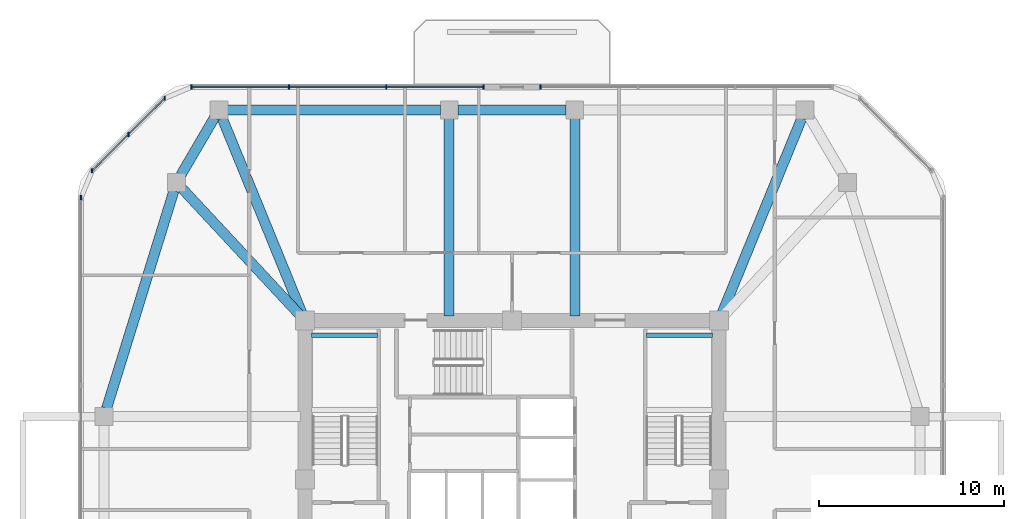
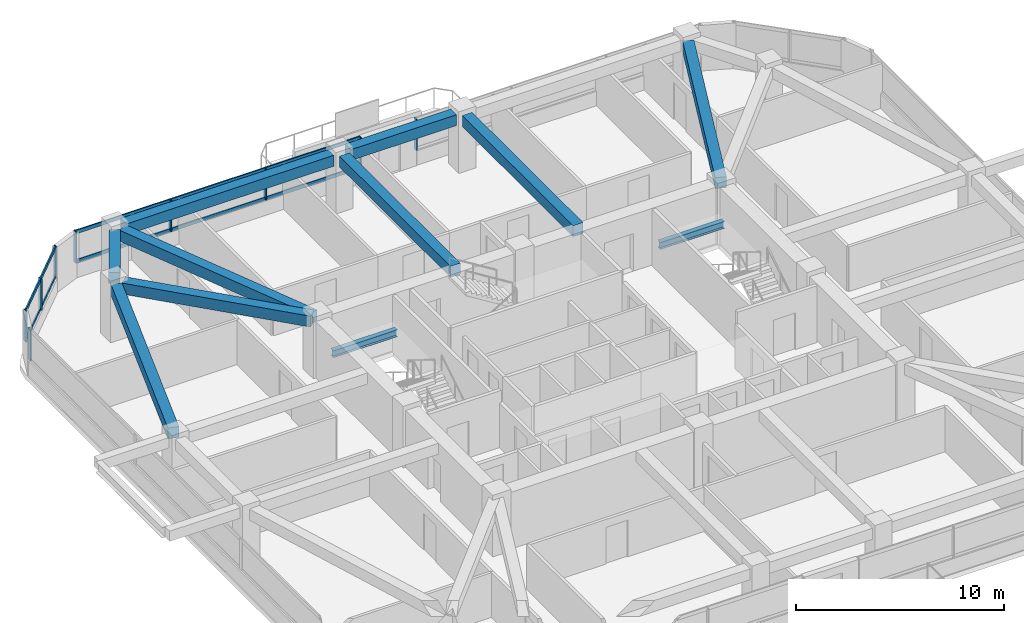
# One storey, part 4 of 11: 13 members, 11 beams, 4 elements without a shape of their own.
"""IFC4 building model written with IfcOpenShell, lengths in metres."""

from ifc_helpers import new_model, si_unit, derived_unit, direction, frame, origin, origin_2d, place, context, subcontext, project, spatial, rectangle, i_section, extrude, material, material_profile, profile_set, type_object, element, aggregate, save


model = new_model("IFC4")

# Units and contexts
model_context = context("Model", 3, precision=1e-05, world=origin(), true_north=direction((0.0, 1.0)))
body_context = subcontext(model_context, "Body", "Model", "MODEL_VIEW")
ifc_project = project(units=[si_unit("LENGTHUNIT", "METRE"), si_unit("AREAUNIT", "SQUARE_METRE"), si_unit("VOLUMEUNIT", "CUBIC_METRE"), si_unit("PLANEANGLEUNIT", "RADIAN"), si_unit("MASSUNIT", "GRAM", prefix="KILO"), derived_unit("THERMALTRANSMITTANCEUNIT", [(si_unit("POWERUNIT", "WATT"), 1), (si_unit("LENGTHUNIT", "METRE"), -2), (si_unit("THERMODYNAMICTEMPERATUREUNIT", "KELVIN"), -1)])], contexts=[model_context])

# Site, building, storey
site_placement = place(None, origin())
site = spatial("IfcSite", under=ifc_project, at=site_placement, CompositionType="ELEMENT")
building_placement = place(site_placement, origin())
building = spatial("IfcBuilding", under=site, at=building_placement, Name="Koralith Skygarden Medical Center", CompositionType="ELEMENT")
storey_placement = place(building_placement, frame((0.0, 0.0, 167.219970703125)))
storey = spatial("IfcBuildingStorey", under=building, at=storey_placement, Name="L43", CompositionType="ELEMENT", Elevation=167.219970703125)

# Curtain wall, member
ifc_material_1 = material(Name="Clear Laminated Glass", Category="glass")
curtain_wall_type = type_object("IfcCurtainWallType", Name="CW-4 Zone 3 Waist High-Wind Curtain Wall", PredefinedType="NOTDEFINED", material=ifc_material_1)
curtain_wall_1_placement = place(storey_placement, origin())
curtain_wall_1 = element("IfcCurtainWall", 1, at=curtain_wall_1_placement, inside=storey, type_object=curtain_wall_type, Name="Curtain Wall CW-L43-N-L", PredefinedType="NOTDEFINED")
ifc_material_2 = material(Name="Aluminium 6063-T6", Category="aluminium")
ifc_material_profile_1 = material_profile(ifc_material_2, rectangle(XDim=0.076904296875, YDim=0.22998046875, at=origin_2d()), Name="MUL77X230")
ifc_profile_set_1 = profile_set([ifc_material_profile_1], Name="Aluminium 6063-T6")
member_type_1 = type_object("IfcMemberType", Name="CW-4 Extruded Mullion 77x230", PredefinedType="MULLION", material=ifc_profile_set_1)
member_1_placement = place(storey_placement, frame((38.541015625, 47.1201171875, 0.85009765625), z_axis=(0.0, 0.0, 1.0), x_axis=(1.0, 0.0, 0.0)))
member_1 = element("IfcMember", 2, at=member_1_placement, type_object=member_type_1, Name="CW-L43-N-L Mullion 4", PredefinedType="MULLION", context=body_context, shape_type="SweptSolid", body=[
    extrude(rectangle(XDim=0.076904296875, YDim=0.22998046875, at=origin_2d()), origin(), (0.0, 0.0, 1.0), 1.81982421875),
])
aggregate(curtain_wall_1, [member_1])

# Curtain wall, members
curtain_wall_2_placement = place(storey_placement, origin())
curtain_wall_2 = element("IfcCurtainWall", 3, at=curtain_wall_2_placement, inside=storey, type_object=curtain_wall_type, Name="Curtain Wall CW-L43-N-R", PredefinedType="NOTDEFINED")
member_2_placement = place(storey_placement, frame((35.4609375, 47.1201171875, 0.85009765625), z_axis=(0.0, 0.0, 1.0), x_axis=(1.0, 0.0, 0.0)))
member_2 = element("IfcMember", 4, at=member_2_placement, type_object=member_type_1, Name="CW-L43-N-R Mullion 1", PredefinedType="MULLION", context=body_context, shape_type="SweptSolid", body=[
    extrude(rectangle(XDim=0.076904296875, YDim=0.22998046875, at=origin_2d()), origin(), (0.0, 0.0, 1.0), 1.81982421875),
])
member_3_placement = place(storey_placement, frame((30.197998046875, 47.1201171875, 0.85009765625), z_axis=(0.0, 0.0, 1.0), x_axis=(1.0, 0.0, 0.0)))
member_3 = element("IfcMember", 5, at=member_3_placement, type_object=member_type_1, Name="CW-L43-N-R Mullion 2", PredefinedType="MULLION", context=body_context, shape_type="SweptSolid", body=[
    extrude(rectangle(XDim=0.076904296875, YDim=0.22998046875, at=origin_2d()), origin(), (0.0, 0.0, 1.0), 1.81982421875),
])
member_4_placement = place(storey_placement, frame((24.93408203125, 47.1201171875, 0.85009765625), z_axis=(0.0, 0.0, 1.0), x_axis=(1.0, 0.0, 0.0)))
member_4 = element("IfcMember", 6, at=member_4_placement, type_object=member_type_1, Name="CW-L43-N-R Mullion 3", PredefinedType="MULLION", context=body_context, shape_type="SweptSolid", body=[
    extrude(rectangle(XDim=0.076904296875, YDim=0.22998046875, at=origin_2d()), origin(), (0.0, 0.0, 1.0), 1.81982421875),
])
member_5_placement = place(storey_placement, frame((19.6708984375, 47.1201171875, 0.85009765625), z_axis=(0.0, 0.0, 1.0), x_axis=(1.0, 0.0, 0.0)))
member_5 = element("IfcMember", 7, at=member_5_placement, type_object=member_type_1, Name="CW-L43-N-R Mullion 4", PredefinedType="MULLION", context=body_context, shape_type="SweptSolid", body=[
    extrude(rectangle(XDim=0.076904296875, YDim=0.22998046875, at=origin_2d()), origin(), (0.0, 0.0, 1.0), 1.81982421875),
])

curtain_wall_3_placement = place(storey_placement, origin())
curtain_wall_3 = element("IfcCurtainWall", 8, at=curtain_wall_3_placement, inside=storey, type_object=curtain_wall_type, Name="Curtain Wall CW-L43-NW", PredefinedType="NOTDEFINED")
member_6_placement = place(storey_placement, frame((18.219970703125, 46.51904296875, 0.85009765625), z_axis=(0.0, 0.0, 1.0), x_axis=(1.0, 0.0, 0.0)))
member_6 = element("IfcMember", 9, at=member_6_placement, type_object=member_type_1, Name="CW-L43-NW Mullion 1", PredefinedType="MULLION", context=body_context, shape_type="SweptSolid", body=[
    extrude(rectangle(XDim=0.076904296875, YDim=0.22998046875, at=origin_2d()), origin(), (0.0, 0.0, 1.0), 1.81982421875),
])
member_7_placement = place(storey_placement, frame((16.258056640625, 44.556884765625, 0.85009765625), z_axis=(0.0, 0.0, 1.0), x_axis=(1.0, 0.0, 0.0)))
member_7 = element("IfcMember", 10, at=member_7_placement, type_object=member_type_1, Name="CW-L43-NW Mullion 2", PredefinedType="MULLION", context=body_context, shape_type="SweptSolid", body=[
    extrude(rectangle(XDim=0.076904296875, YDim=0.22998046875, at=origin_2d()), origin(), (0.0, 0.0, 1.0), 1.81982421875),
])
member_8_placement = place(storey_placement, frame((14.297119140625, 42.595947265625, 0.85009765625), z_axis=(0.0, 0.0, 1.0), x_axis=(1.0, 0.0, 0.0)))
member_8 = element("IfcMember", 11, at=member_8_placement, type_object=member_type_1, Name="CW-L43-NW Mullion 3", PredefinedType="MULLION", context=body_context, shape_type="SweptSolid", body=[
    extrude(rectangle(XDim=0.076904296875, YDim=0.22998046875, at=origin_2d()), origin(), (0.0, 0.0, 1.0), 1.81982421875),
])

# Curtain wall, member
curtain_wall_4_placement = place(storey_placement, origin())
curtain_wall_4 = element("IfcCurtainWall", 12, at=curtain_wall_4_placement, inside=storey, type_object=curtain_wall_type, Name="Curtain Wall CW-L43-W", PredefinedType="NOTDEFINED")
member_9_placement = place(storey_placement, frame((13.696044921875, 41.14501953125, 0.85009765625), z_axis=(0.0, 0.0, 1.0), x_axis=(1.0, 0.0, 0.0)))
member_9 = element("IfcMember", 13, at=member_9_placement, type_object=member_type_1, Name="CW-L43-W Mullion 1", PredefinedType="MULLION", context=body_context, shape_type="SweptSolid", body=[
    extrude(rectangle(XDim=0.076904296875, YDim=0.22998046875, at=origin_2d()), origin(), (0.0, 0.0, 1.0), 1.81982421875),
])
aggregate(curtain_wall_4, [member_9])

# Member
ifc_material_profile_2 = material_profile(ifc_material_2, rectangle(XDim=0.072021484375, YDim=0.20703125, at=origin_2d()), Name="TRN72X207")
ifc_profile_set_2 = profile_set([ifc_material_profile_2], Name="Aluminium 6063-T6")
member_type_2 = type_object("IfcMemberType", Name="CW-4 Thermal Transom 72x207", PredefinedType="USERDEFINED", material=ifc_profile_set_2)
member_10_placement = place(storey_placement, frame((35.4609375, 47.1201171875, 0.900146484375), z_axis=(-1.0, 0.0, 0.0), x_axis=(0.0, -1.0, 0.0)))
member_10 = element("IfcMember", 14, at=member_10_placement, type_object=member_type_2, Name="CW-L43-N-R Transom 1", ObjectType="TRANSOM", PredefinedType="USERDEFINED", context=body_context, shape_type="SweptSolid", body=[
    extrude(rectangle(XDim=0.072021484375, YDim=0.20703125, at=origin_2d()), origin(), (0.0, 0.0, 1.0), 15.7900390625),
])

member_11_placement = place(storey_placement, frame((35.4609375, 47.1201171875, 2.6201171875), z_axis=(-1.0, 0.0, 0.0), x_axis=(0.0, -1.0, 0.0)))
member_11 = element("IfcMember", 15, at=member_11_placement, type_object=member_type_2, Name="CW-L43-N-R Transom 2", ObjectType="TRANSOM", PredefinedType="USERDEFINED", context=body_context, shape_type="SweptSolid", body=[
    extrude(rectangle(XDim=0.072021484375, YDim=0.20703125, at=origin_2d()), origin(), (0.0, 0.0, 1.0), 15.7900390625),
])

aggregate(curtain_wall_2, [member_2, member_3, member_4, member_5, member_10, member_11])

member_12_placement = place(storey_placement, frame((18.219970703125, 46.51904296875, 0.900146484375), z_axis=(-0.707084777957, -0.707128783731, 0.0), x_axis=(0.707128783731, -0.707084777957, 0.0)))
member_12 = element("IfcMember", 16, at=member_12_placement, type_object=member_type_2, Name="CW-L43-NW Transom 1", ObjectType="TRANSOM", PredefinedType="USERDEFINED", context=body_context, shape_type="SweptSolid", body=[
    extrude(rectangle(XDim=0.072021484375, YDim=0.20703125, at=origin_2d()), origin(), (0.0, 0.0, 1.0), 5.5478515625),
])

member_13_placement = place(storey_placement, frame((18.219970703125, 46.51904296875, 2.6201171875), z_axis=(-0.707084777957, -0.707128783731, 0.0), x_axis=(0.707128783731, -0.707084777957, 0.0)))
member_13 = element("IfcMember", 17, at=member_13_placement, type_object=member_type_2, Name="CW-L43-NW Transom 2", ObjectType="TRANSOM", PredefinedType="USERDEFINED", context=body_context, shape_type="SweptSolid", body=[
    extrude(rectangle(XDim=0.072021484375, YDim=0.20703125, at=origin_2d()), origin(), (0.0, 0.0, 1.0), 5.5478515625),
])

aggregate(curtain_wall_3, [member_6, member_7, member_8, member_12, member_13])

# Beams
ifc_material_3 = material(Name="Steel ASTM A992 Grade 50", Category="steel")
ifc_material_profile_3 = material_profile(ifc_material_3, i_section(OverallWidth=0.260009765625, OverallDepth=0.4150390625, WebThickness=0.010009765625, FlangeThickness=0.016845703125, at=origin_2d()), Name="W16X67")
ifc_profile_set_3 = profile_set([ifc_material_profile_3], Name="Steel ASTM A992 Grade 50")
beam_type_1 = type_object("IfcBeamType", Name="Clinical Floor Joist W16X67", PredefinedType="JOIST", material=ifc_profile_set_3)
for number, where, z_axis, x_axis, name in (
    (18, (26.155029296875, 33.699951171875, 1.39306640625), (1.0, 0.0, 0.0), (0.0, 1.0, 0.0), "L43 Stair ST1 Half-Landing Support Beam 1B"),
    (19, (44.280029296875, 33.699951171875, 1.39306640625), (1.0, 0.0, 0.0), (0.0, 1.0, 0.0), "L43 Stair ST2 Half-Landing Support Beam 1B"),
):
    element("IfcBeam", number, at=place(storey_placement, frame(where, z_axis=z_axis, x_axis=x_axis)), inside=storey, type_object=beam_type_1, Name=name, PredefinedType="JOIST", context=body_context, shape_type="SweptSolid", body=[
        extrude(i_section(OverallWidth=0.260009765625, OverallDepth=0.4150390625, WebThickness=0.010009765625, FlangeThickness=0.016845703125, at=origin_2d()), origin(), (0.0, 0.0, 1.0), 3.56494140625),
    ])
ifc_material_4 = material(Name="Concrete C45/55", Category="concrete")
ifc_material_profile_4 = material_profile(ifc_material_4, rectangle(XDim=0.550048828125, YDim=0.639892578125, at=origin_2d()), Name="RCB550X640")
ifc_profile_set_4 = profile_set([ifc_material_profile_4], Name="Concrete C45/55")
beam_type_2 = type_object("IfcBeamType", Name="Radial Collector Beam RCB550X640", PredefinedType="BEAM", material=ifc_profile_set_4)
beam_1_placement = place(storey_placement, frame((48.294921875, 34.73095703125, 3.0), z_axis=(0.378344544364, 0.92566484526, 0.0), x_axis=(-0.92566484526, 0.378344544364, 0.0)))
element("IfcBeam", 20, at=beam_1_placement, inside=storey, type_object=beam_type_2, Name="L43 Radial Collector Beam RB-11", PredefinedType="BEAM", context=body_context, shape_type="SweptSolid", body=[
    extrude(rectangle(XDim=0.550048828125, YDim=0.639892578125, at=origin_2d()), origin(), (0.0, 0.0, 1.0), 11.574462890625),
])
for number, where, z_axis, x_axis, name in (
    (21, (40.39990234375, 34.75, 3.0), (0.0, 1.0, 0.0), (-1.0, 0.0, 0.0), "L43 Radial Collector Beam RB-12"),
    (22, (33.60009765625, 34.75, 3.0), (0.0, 1.0, 0.0), (-1.0, 0.0, 0.0), "L43 Radial Collector Beam RB-13"),
):
    element("IfcBeam", number, at=place(storey_placement, frame(where, z_axis=z_axis, x_axis=x_axis)), inside=storey, type_object=beam_type_2, Name=name, PredefinedType="BEAM", context=body_context, shape_type="SweptSolid", body=[
        extrude(rectangle(XDim=0.550048828125, YDim=0.639892578125, at=origin_2d()), origin(), (0.0, 0.0, 1.0), 10.659912109375),
    ])
beam_2_placement = place(storey_placement, frame((25.705078125, 34.73095703125, 3.0), z_axis=(-0.378344544364, 0.92566484526, 0.0), x_axis=(-0.92566484526, -0.378344544364, 0.0)))
element("IfcBeam", 23, at=beam_2_placement, inside=storey, type_object=beam_type_2, Name="L43 Radial Collector Beam RB-14", PredefinedType="BEAM", context=body_context, shape_type="SweptSolid", body=[
    extrude(rectangle(XDim=0.550048828125, YDim=0.639892578125, at=origin_2d()), origin(), (0.0, 0.0, 1.0), 11.574462890625),
])
beam_3_placement = place(storey_placement, frame((25.6298828125, 34.68310546875, 3.0), z_axis=(-0.681369011591, 0.731940072713, 0.0), x_axis=(-0.731940072713, -0.681369011591, 0.0)))
element("IfcBeam", 24, at=beam_3_placement, inside=storey, type_object=beam_type_2, Name="L43 Radial Collector Beam RB-15", PredefinedType="BEAM", context=body_context, shape_type="SweptSolid", body=[
    extrude(rectangle(XDim=0.550048828125, YDim=0.639892578125, at=origin_2d()), origin(), (0.0, 0.0, 1.0), 9.471923828125),
])
ifc_material_profile_5 = material_profile(ifc_material_4, rectangle(XDim=0.550048828125, YDim=0.639892578125, at=origin_2d()), Name="RCB550X640")
ifc_profile_set_5 = profile_set([ifc_material_profile_5], Name="Concrete C45/55")
beam_type_3 = type_object("IfcBeamType", Name="Zone 2-3 Spandrel Beam RCB550X640", PredefinedType="SPANDREL", material=ifc_profile_set_5)
beam_4_placement = place(storey_placement, frame((39.929931640625, 45.8798828125, 3.0), z_axis=(-1.0, 0.0, 0.0), x_axis=(0.0, -1.0, 0.0)))
element("IfcBeam", 25, at=beam_4_placement, inside=storey, type_object=beam_type_3, Name="L43 Perimeter Spandrel Beam SP-12", PredefinedType="SPANDREL", context=body_context, shape_type="SweptSolid", body=[
    extrude(rectangle(XDim=0.550048828125, YDim=0.639892578125, at=origin_2d()), origin(), (0.0, 0.0, 1.0), 5.85986328125),
])
beam_5_placement = place(storey_placement, frame((33.1298828125, 45.8798828125, 3.0), z_axis=(-1.0, 0.0, 0.0), x_axis=(0.0, -1.0, 0.0)))
element("IfcBeam", 26, at=beam_5_placement, inside=storey, type_object=beam_type_3, Name="L43 Perimeter Spandrel Beam SP-13", PredefinedType="SPANDREL", context=body_context, shape_type="SweptSolid", body=[
    extrude(rectangle(XDim=0.550048828125, YDim=0.639892578125, at=origin_2d()), origin(), (0.0, 0.0, 1.0), 11.511962890625),
])
beam_6_placement = place(storey_placement, frame((20.910888671875, 45.47412109375, 3.0), z_axis=(-0.504861391295, -0.863200426077, 0.0), x_axis=(0.863200426077, -0.504861391295, 0.0)))
element("IfcBeam", 27, at=beam_6_placement, inside=storey, type_object=beam_type_3, Name="L43 Perimeter Spandrel Beam SP-14", PredefinedType="SPANDREL", context=body_context, shape_type="SweptSolid", body=[
    extrude(rectangle(XDim=0.550048828125, YDim=0.639892578125, at=origin_2d()), origin(), (0.0, 0.0, 1.0), 3.600830078125),
])
beam_7_placement = place(storey_placement, frame((18.717041015625, 41.510986328125, 3.0), z_axis=(-0.295793585147, -0.955251880389, 0.0), x_axis=(0.955251880389, -0.295793585147, 0.0)))
element("IfcBeam", 28, at=beam_7_placement, inside=storey, type_object=beam_type_3, Name="L43 Perimeter Spandrel Beam SP-15", PredefinedType="SPANDREL", context=body_context, shape_type="SweptSolid", body=[
    extrude(rectangle(XDim=0.550048828125, YDim=0.639892578125, at=origin_2d()), origin(), (0.0, 0.0, 1.0), 12.31298828125),
])

save(model, "model.ifc")
